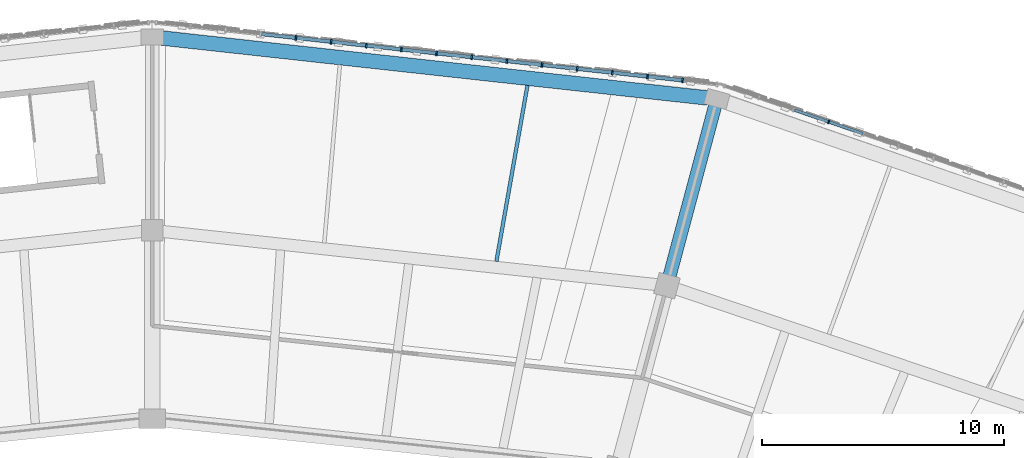
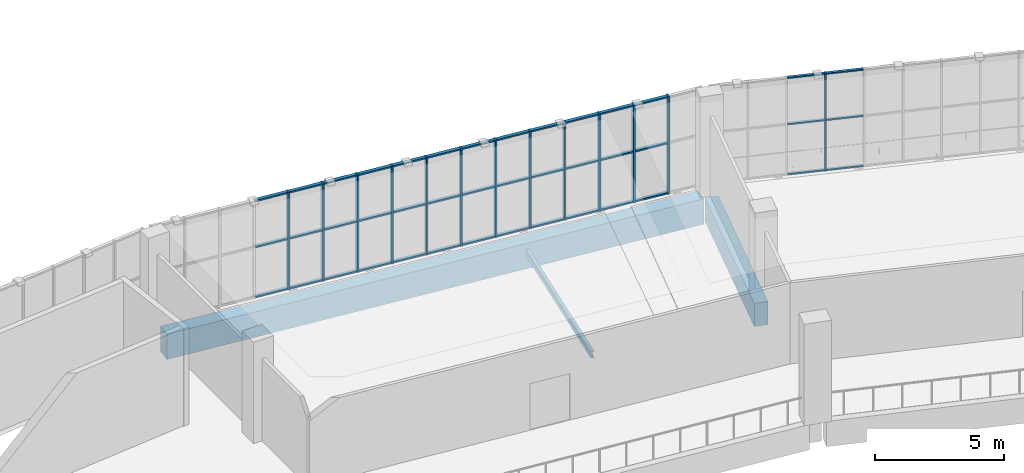
# One storey, part 30 of 64: 55 members, 3 beams, 2 elements without a shape of their own.
"""IFC4 building model written with IfcOpenShell, lengths in metres."""

from ifc_helpers import new_model, si_unit, direction, frame, origin, origin_2d, place, context, subcontext, project, spatial, rectangle, i_section, extrude, material, material_profile, profile_set, type_object, element, aggregate, save


model = new_model("IFC4")

# Units and contexts
model_context = context("Model", 3, precision=1e-05, world=origin(), true_north=direction((0.0, 1.0)))
body_context = subcontext(model_context, "Body", "Model", "MODEL_VIEW")
ifc_project = project(units=[si_unit("LENGTHUNIT", "METRE"), si_unit("AREAUNIT", "SQUARE_METRE"), si_unit("VOLUMEUNIT", "CUBIC_METRE"), si_unit("PLANEANGLEUNIT", "RADIAN"), si_unit("MASSUNIT", "GRAM", prefix="KILO")], contexts=[model_context])

# Site, building, storey
site_placement = place(None, origin())
site = spatial("IfcSite", under=ifc_project, at=site_placement, CompositionType="ELEMENT")
building_placement = place(site_placement, origin())
building = spatial("IfcBuilding", under=site, at=building_placement, Name="Zevraka Park Crest Stadium", CompositionType="ELEMENT")
storey_placement = place(building_placement, frame((0.0, 0.0, 24.60009765625)))
storey = spatial("IfcBuildingStorey", under=building, at=storey_placement, Name="L05", CompositionType="ELEMENT", Elevation=24.60009765625)

# Beam
ifc_material_1 = material(Name="Concrete C40/50", Category="concrete")
ifc_material_profile_1 = material_profile(ifc_material_1, rectangle(XDim=0.550048828125, YDim=1.10009765625, at=origin_2d()), Name="RC 1100x550")
ifc_profile_set_1 = profile_set([ifc_material_profile_1], Name="Concrete C40/50")
beam_type_1 = type_object("IfcBeamType", Name="BG02", PredefinedType="BEAM", material=ifc_profile_set_1)
beam_1_placement = place(storey_placement, frame((133.37890625, 157.297119140625, -0.56005859375), z_axis=(0.258697599806, 0.965958359276, 0.0), x_axis=(-0.965958359276, 0.258697599806, 0.0)))
element("IfcBeam", 1, at=beam_1_placement, inside=storey, type_object=beam_type_1, Name="Radial Girder BG02 L05-CD-05", PredefinedType="BEAM", context=body_context, shape_type="SweptSolid", body=[
    extrude(rectangle(XDim=0.550048828125, YDim=1.10009765625, at=origin_2d()), origin(), (0.0, 0.0, 1.0), 7.39892578125),
])

# Curtain wall, member
ifc_material_2 = material(Name="Anodised architectural aluminium and laminated safety glass", Category="aluminium")
curtain_wall_type_1 = type_object("IfcCurtainWallType", Name="CW22", PredefinedType="NOTDEFINED", material=ifc_material_2)
curtain_wall_1_placement = place(storey_placement, origin())
curtain_wall_1 = element("IfcCurtainWall", 2, at=curtain_wall_1_placement, inside=storey, type_object=curtain_wall_type_1, Name="Unitised Ring Curtain Wall CW22 L05-04", PredefinedType="NOTDEFINED")
ifc_material_3 = material(Name="Anodised architectural aluminium", Category="aluminium")
ifc_material_profile_2 = material_profile(ifc_material_3, rectangle(XDim=0.159912109375, YDim=0.06005859375, at=origin_2d()), Name="ALU MULLION 160x60")
ifc_profile_set_2 = profile_set([ifc_material_profile_2], Name="Anodised architectural aluminium")
member_type_1 = type_object("IfcMemberType", Name="CM01", PredefinedType="MULLION", material=ifc_profile_set_2)
member_1_placement = place(storey_placement, frame((139.99560546875, 163.788818359375, 0.0), z_axis=(0.0, 0.0, 1.0), x_axis=(-0.326929424834, -0.945048755979, 0.0)))
member_1 = element("IfcMember", 3, at=member_1_placement, type_object=member_type_1, Name="CW22 mullion 13", PredefinedType="MULLION", context=body_context, shape_type="SweptSolid", body=[
    extrude(rectangle(XDim=0.159912109375, YDim=0.06005859375, at=origin_2d()), origin(), (0.0, 0.0, 1.0), 4.619873046875),
])

# Curtain wall, members
ifc_material_4 = material(Name="Anodised architectural aluminium and laminated safety glass", Category="aluminium")
curtain_wall_type_2 = type_object("IfcCurtainWallType", Name="CW21", PredefinedType="NOTDEFINED", material=ifc_material_4)
curtain_wall_2_placement = place(storey_placement, origin())
curtain_wall_2 = element("IfcCurtainWall", 4, at=curtain_wall_2_placement, inside=storey, type_object=curtain_wall_type_2, Name="Unitised Ring Curtain Wall CW21 L05-05", PredefinedType="NOTDEFINED")
ifc_material_5 = material(Name="Anodised architectural aluminium", Category="aluminium")
ifc_material_profile_3 = material_profile(ifc_material_5, rectangle(XDim=0.199951171875, YDim=0.070068359375, at=origin_2d()), Name="ALU MULLION 200x70")
ifc_profile_set_3 = profile_set([ifc_material_profile_3], Name="Anodised architectural aluminium")
member_type_2 = type_object("IfcMemberType", Name="CM03", PredefinedType="MULLION", material=ifc_profile_set_3)
member_2_placement = place(storey_placement, frame((133.9501953125, 165.505859375, 0.0), z_axis=(0.0, 0.0, 1.0), x_axis=(-0.109287733215, -0.994010156572, 0.0)))
member_2 = element("IfcMember", 5, at=member_2_placement, type_object=member_type_2, Name="CW21 mullion 2", PredefinedType="MULLION", context=body_context, shape_type="SweptSolid", body=[
    extrude(rectangle(XDim=0.199951171875, YDim=0.070068359375, at=origin_2d()), origin(), (0.0, 0.0, 1.0), 4.619873046875),
])
member_3_placement = place(storey_placement, frame((132.49560546875, 165.665771484375, 0.0), z_axis=(0.0, 0.0, 1.0), x_axis=(-0.109287733215, -0.994010156572, 0.0)))
member_3 = element("IfcMember", 6, at=member_3_placement, type_object=member_type_2, Name="CW21 mullion 3", PredefinedType="MULLION", context=body_context, shape_type="SweptSolid", body=[
    extrude(rectangle(XDim=0.199951171875, YDim=0.070068359375, at=origin_2d()), origin(), (0.0, 0.0, 1.0), 4.619873046875),
])
member_4_placement = place(storey_placement, frame((131.041015625, 165.825927734375, 0.0), z_axis=(0.0, 0.0, 1.0), x_axis=(-0.109287733215, -0.994010156572, 0.0)))
member_4 = element("IfcMember", 7, at=member_4_placement, type_object=member_type_2, Name="CW21 mullion 4", PredefinedType="MULLION", context=body_context, shape_type="SweptSolid", body=[
    extrude(rectangle(XDim=0.199951171875, YDim=0.070068359375, at=origin_2d()), origin(), (0.0, 0.0, 1.0), 4.619873046875),
])
member_5_placement = place(storey_placement, frame((129.586181640625, 165.98583984375, 0.0), z_axis=(0.0, 0.0, 1.0), x_axis=(-0.109287733215, -0.994010156572, 0.0)))
member_5 = element("IfcMember", 8, at=member_5_placement, type_object=member_type_2, Name="CW21 mullion 5", PredefinedType="MULLION", context=body_context, shape_type="SweptSolid", body=[
    extrude(rectangle(XDim=0.199951171875, YDim=0.070068359375, at=origin_2d()), origin(), (0.0, 0.0, 1.0), 4.619873046875),
])
member_6_placement = place(storey_placement, frame((128.131591796875, 166.145751953125, 0.0), z_axis=(0.0, 0.0, 1.0), x_axis=(-0.109287733215, -0.994010156572, 0.0)))
member_6 = element("IfcMember", 9, at=member_6_placement, type_object=member_type_2, Name="CW21 mullion 6", PredefinedType="MULLION", context=body_context, shape_type="SweptSolid", body=[
    extrude(rectangle(XDim=0.199951171875, YDim=0.070068359375, at=origin_2d()), origin(), (0.0, 0.0, 1.0), 4.619873046875),
])
member_7_placement = place(storey_placement, frame((126.6767578125, 166.3056640625, 0.0), z_axis=(0.0, 0.0, 1.0), x_axis=(-0.109287733215, -0.994010156572, 0.0)))
member_7 = element("IfcMember", 10, at=member_7_placement, type_object=member_type_2, Name="CW21 mullion 7", PredefinedType="MULLION", context=body_context, shape_type="SweptSolid", body=[
    extrude(rectangle(XDim=0.199951171875, YDim=0.070068359375, at=origin_2d()), origin(), (0.0, 0.0, 1.0), 4.619873046875),
])
member_8_placement = place(storey_placement, frame((125.22216796875, 166.465576171875, 0.0), z_axis=(0.0, 0.0, 1.0), x_axis=(-0.109287733215, -0.994010156572, 0.0)))
member_8 = element("IfcMember", 11, at=member_8_placement, type_object=member_type_2, Name="CW21 mullion 8", PredefinedType="MULLION", context=body_context, shape_type="SweptSolid", body=[
    extrude(rectangle(XDim=0.199951171875, YDim=0.070068359375, at=origin_2d()), origin(), (0.0, 0.0, 1.0), 4.619873046875),
])
member_9_placement = place(storey_placement, frame((123.767578125, 166.62548828125, 0.0), z_axis=(0.0, 0.0, 1.0), x_axis=(-0.109287733215, -0.994010156572, 0.0)))
member_9 = element("IfcMember", 12, at=member_9_placement, type_object=member_type_2, Name="CW21 mullion 9", PredefinedType="MULLION", context=body_context, shape_type="SweptSolid", body=[
    extrude(rectangle(XDim=0.199951171875, YDim=0.070068359375, at=origin_2d()), origin(), (0.0, 0.0, 1.0), 4.619873046875),
])
member_10_placement = place(storey_placement, frame((122.312744140625, 166.785400390625, 0.0), z_axis=(0.0, 0.0, 1.0), x_axis=(-0.109287733215, -0.994010156572, 0.0)))
member_10 = element("IfcMember", 13, at=member_10_placement, type_object=member_type_2, Name="CW21 mullion 10", PredefinedType="MULLION", context=body_context, shape_type="SweptSolid", body=[
    extrude(rectangle(XDim=0.199951171875, YDim=0.070068359375, at=origin_2d()), origin(), (0.0, 0.0, 1.0), 4.619873046875),
])
member_11_placement = place(storey_placement, frame((120.858154296875, 166.9453125, 0.0), z_axis=(0.0, 0.0, 1.0), x_axis=(-0.109287733215, -0.994010156572, 0.0)))
member_11 = element("IfcMember", 14, at=member_11_placement, type_object=member_type_2, Name="CW21 mullion 11", PredefinedType="MULLION", context=body_context, shape_type="SweptSolid", body=[
    extrude(rectangle(XDim=0.199951171875, YDim=0.070068359375, at=origin_2d()), origin(), (0.0, 0.0, 1.0), 4.619873046875),
])
member_12_placement = place(storey_placement, frame((119.4033203125, 167.105224609375, 0.0), z_axis=(0.0, 0.0, 1.0), x_axis=(-0.109287733215, -0.994010156572, 0.0)))
member_12 = element("IfcMember", 15, at=member_12_placement, type_object=member_type_2, Name="CW21 mullion 12", PredefinedType="MULLION", context=body_context, shape_type="SweptSolid", body=[
    extrude(rectangle(XDim=0.199951171875, YDim=0.070068359375, at=origin_2d()), origin(), (0.0, 0.0, 1.0), 4.619873046875),
])
member_13_placement = place(storey_placement, frame((117.94873046875, 167.26513671875, 0.0), z_axis=(0.0, 0.0, 1.0), x_axis=(-0.109287733215, -0.994010156572, 0.0)))
member_13 = element("IfcMember", 16, at=member_13_placement, type_object=member_type_2, Name="CW21 mullion 13", PredefinedType="MULLION", context=body_context, shape_type="SweptSolid", body=[
    extrude(rectangle(XDim=0.199951171875, YDim=0.070068359375, at=origin_2d()), origin(), (0.0, 0.0, 1.0), 4.619873046875),
])

# Member
ifc_material_6 = material(Name="Anodised architectural aluminium", Category="aluminium")
ifc_material_profile_4 = material_profile(ifc_material_6, rectangle(XDim=0.1201171875, YDim=0.06005859375, at=origin_2d()), Name="ALU TRANSOM 120x60")
ifc_profile_set_4 = profile_set([ifc_material_profile_4], Name="Anodised architectural aluminium")
member_type_3 = type_object("IfcMemberType", Name="CT01", PredefinedType="USERDEFINED", material=ifc_profile_set_4)
member_14_placement = place(storey_placement, frame((141.412841796875, 163.298583984375, 0.02978515625), z_axis=(-0.945051229525, 0.326922274513, 0.0), x_axis=(-0.326922274513, -0.945051229525, 0.0)))
member_14 = element("IfcMember", 17, at=member_14_placement, type_object=member_type_3, Name="CW22 transom 12.1", ObjectType="TRANSOM", PredefinedType="USERDEFINED", context=body_context, shape_type="SweptSolid", body=[
    extrude(rectangle(XDim=0.1201171875, YDim=0.06005859375, at=origin_2d()), origin(), (0.0, 0.0, 1.0), 1.4697265625),
])

member_15_placement = place(storey_placement, frame((141.412841796875, 163.298583984375, 2.39990234375), z_axis=(-0.945051229525, 0.326922274513, 0.0), x_axis=(-0.326922274513, -0.945051229525, 0.0)))
member_15 = element("IfcMember", 18, at=member_15_placement, type_object=member_type_3, Name="CW22 transom 12.2", ObjectType="TRANSOM", PredefinedType="USERDEFINED", context=body_context, shape_type="SweptSolid", body=[
    extrude(rectangle(XDim=0.1201171875, YDim=0.06005859375, at=origin_2d()), origin(), (0.0, 0.0, 1.0), 1.4697265625),
])

member_16_placement = place(storey_placement, frame((141.412841796875, 163.298583984375, 4.58984375), z_axis=(-0.945051229525, 0.326922274513, 0.0), x_axis=(-0.326922274513, -0.945051229525, 0.0)))
member_16 = element("IfcMember", 19, at=member_16_placement, type_object=member_type_3, Name="CW22 transom 12.3", ObjectType="TRANSOM", PredefinedType="USERDEFINED", context=body_context, shape_type="SweptSolid", body=[
    extrude(rectangle(XDim=0.1201171875, YDim=0.06005859375, at=origin_2d()), origin(), (0.0, 0.0, 1.0), 1.4697265625),
])

member_17_placement = place(storey_placement, frame((139.96728515625, 163.798583984375, 0.02978515625), z_axis=(-0.945051229525, 0.326922274513, 0.0), x_axis=(-0.326922274513, -0.945051229525, 0.0)))
member_17 = element("IfcMember", 20, at=member_17_placement, type_object=member_type_3, Name="CW22 transom 13.1", ObjectType="TRANSOM", PredefinedType="USERDEFINED", context=body_context, shape_type="SweptSolid", body=[
    extrude(rectangle(XDim=0.1201171875, YDim=0.06005859375, at=origin_2d()), origin(), (0.0, 0.0, 1.0), 1.4697265625),
])

member_18_placement = place(storey_placement, frame((139.96728515625, 163.798583984375, 2.39990234375), z_axis=(-0.945051229525, 0.326922274513, 0.0), x_axis=(-0.326922274513, -0.945051229525, 0.0)))
member_18 = element("IfcMember", 21, at=member_18_placement, type_object=member_type_3, Name="CW22 transom 13.2", ObjectType="TRANSOM", PredefinedType="USERDEFINED", context=body_context, shape_type="SweptSolid", body=[
    extrude(rectangle(XDim=0.1201171875, YDim=0.06005859375, at=origin_2d()), origin(), (0.0, 0.0, 1.0), 1.4697265625),
])

member_19_placement = place(storey_placement, frame((139.96728515625, 163.798583984375, 4.58984375), z_axis=(-0.945051229525, 0.326922274513, 0.0), x_axis=(-0.326922274513, -0.945051229525, 0.0)))
member_19 = element("IfcMember", 22, at=member_19_placement, type_object=member_type_3, Name="CW22 transom 13.3", ObjectType="TRANSOM", PredefinedType="USERDEFINED", context=body_context, shape_type="SweptSolid", body=[
    extrude(rectangle(XDim=0.1201171875, YDim=0.06005859375, at=origin_2d()), origin(), (0.0, 0.0, 1.0), 1.4697265625),
])

aggregate(curtain_wall_1, [member_1, member_14, member_15, member_16, member_17, member_18, member_19])

ifc_material_7 = material(Name="Anodised architectural aluminium", Category="aluminium")
ifc_material_profile_5 = material_profile(ifc_material_7, rectangle(XDim=0.14990234375, YDim=0.070068359375, at=origin_2d()), Name="ALU TRANSOM 150x70")
ifc_profile_set_5 = profile_set([ifc_material_profile_5], Name="Anodised architectural aluminium")
member_type_4 = type_object("IfcMemberType", Name="CT03", PredefinedType="USERDEFINED", material=ifc_profile_set_5)
member_20_placement = place(storey_placement, frame((133.91552734375, 165.509765625, 0.034912109375), z_axis=(-0.994004927225, 0.109335285491, 0.0), x_axis=(-0.109335285491, -0.994004927225, 0.0)))
member_20 = element("IfcMember", 23, at=member_20_placement, type_object=member_type_4, Name="CW21 transom 2.1", ObjectType="TRANSOM", PredefinedType="USERDEFINED", context=body_context, shape_type="SweptSolid", body=[
    extrude(rectangle(XDim=0.14990234375, YDim=0.070068359375, at=origin_2d()), origin(), (0.0, 0.0, 1.0), 1.393310546875),
])

member_21_placement = place(storey_placement, frame((133.91552734375, 165.509765625, 2.39990234375), z_axis=(-0.994004927225, 0.109335285491, 0.0), x_axis=(-0.109335285491, -0.994004927225, 0.0)))
member_21 = element("IfcMember", 24, at=member_21_placement, type_object=member_type_4, Name="CW21 transom 2.2", ObjectType="TRANSOM", PredefinedType="USERDEFINED", context=body_context, shape_type="SweptSolid", body=[
    extrude(rectangle(XDim=0.14990234375, YDim=0.070068359375, at=origin_2d()), origin(), (0.0, 0.0, 1.0), 1.393310546875),
])

member_22_placement = place(storey_placement, frame((133.91552734375, 165.509765625, 4.5849609375), z_axis=(-0.994004927225, 0.109335285491, 0.0), x_axis=(-0.109335285491, -0.994004927225, 0.0)))
member_22 = element("IfcMember", 25, at=member_22_placement, type_object=member_type_4, Name="CW21 transom 2.3", ObjectType="TRANSOM", PredefinedType="USERDEFINED", context=body_context, shape_type="SweptSolid", body=[
    extrude(rectangle(XDim=0.14990234375, YDim=0.070068359375, at=origin_2d()), origin(), (0.0, 0.0, 1.0), 1.393310546875),
])

member_23_placement = place(storey_placement, frame((132.4609375, 165.669677734375, 0.034912109375), z_axis=(-0.994007021255, 0.109316246257, 0.0), x_axis=(-0.109316246257, -0.994007021255, 0.0)))
member_23 = element("IfcMember", 26, at=member_23_placement, type_object=member_type_4, Name="CW21 transom 3.1", ObjectType="TRANSOM", PredefinedType="USERDEFINED", context=body_context, shape_type="SweptSolid", body=[
    extrude(rectangle(XDim=0.14990234375, YDim=0.070068359375, at=origin_2d()), origin(), (0.0, 0.0, 1.0), 1.3935546875),
])

member_24_placement = place(storey_placement, frame((132.4609375, 165.669677734375, 2.39990234375), z_axis=(-0.994007021255, 0.109316246257, 0.0), x_axis=(-0.109316246257, -0.994007021255, 0.0)))
member_24 = element("IfcMember", 27, at=member_24_placement, type_object=member_type_4, Name="CW21 transom 3.2", ObjectType="TRANSOM", PredefinedType="USERDEFINED", context=body_context, shape_type="SweptSolid", body=[
    extrude(rectangle(XDim=0.14990234375, YDim=0.070068359375, at=origin_2d()), origin(), (0.0, 0.0, 1.0), 1.3935546875),
])

member_25_placement = place(storey_placement, frame((132.4609375, 165.669677734375, 4.5849609375), z_axis=(-0.994007021255, 0.109316246257, 0.0), x_axis=(-0.109316246257, -0.994007021255, 0.0)))
member_25 = element("IfcMember", 28, at=member_25_placement, type_object=member_type_4, Name="CW21 transom 3.3", ObjectType="TRANSOM", PredefinedType="USERDEFINED", context=body_context, shape_type="SweptSolid", body=[
    extrude(rectangle(XDim=0.14990234375, YDim=0.070068359375, at=origin_2d()), origin(), (0.0, 0.0, 1.0), 1.3935546875),
])

member_26_placement = place(storey_placement, frame((131.006103515625, 165.82958984375, 0.034912109375), z_axis=(-0.994004927225, 0.109335285491, 0.0), x_axis=(-0.109335285491, -0.994004927225, 0.0)))
member_26 = element("IfcMember", 29, at=member_26_placement, type_object=member_type_4, Name="CW21 transom 4.1", ObjectType="TRANSOM", PredefinedType="USERDEFINED", context=body_context, shape_type="SweptSolid", body=[
    extrude(rectangle(XDim=0.14990234375, YDim=0.070068359375, at=origin_2d()), origin(), (0.0, 0.0, 1.0), 1.393310546875),
])

member_27_placement = place(storey_placement, frame((131.006103515625, 165.82958984375, 2.39990234375), z_axis=(-0.994004927225, 0.109335285491, 0.0), x_axis=(-0.109335285491, -0.994004927225, 0.0)))
member_27 = element("IfcMember", 30, at=member_27_placement, type_object=member_type_4, Name="CW21 transom 4.2", ObjectType="TRANSOM", PredefinedType="USERDEFINED", context=body_context, shape_type="SweptSolid", body=[
    extrude(rectangle(XDim=0.14990234375, YDim=0.070068359375, at=origin_2d()), origin(), (0.0, 0.0, 1.0), 1.393310546875),
])

member_28_placement = place(storey_placement, frame((131.006103515625, 165.82958984375, 4.5849609375), z_axis=(-0.994004927225, 0.109335285491, 0.0), x_axis=(-0.109335285491, -0.994004927225, 0.0)))
member_28 = element("IfcMember", 31, at=member_28_placement, type_object=member_type_4, Name="CW21 transom 4.3", ObjectType="TRANSOM", PredefinedType="USERDEFINED", context=body_context, shape_type="SweptSolid", body=[
    extrude(rectangle(XDim=0.14990234375, YDim=0.070068359375, at=origin_2d()), origin(), (0.0, 0.0, 1.0), 1.393310546875),
])

member_29_placement = place(storey_placement, frame((129.551513671875, 165.989501953125, 0.034912109375), z_axis=(-0.994007021255, 0.109316246257, 0.0), x_axis=(-0.109316246257, -0.994007021255, 0.0)))
member_29 = element("IfcMember", 32, at=member_29_placement, type_object=member_type_4, Name="CW21 transom 5.1", ObjectType="TRANSOM", PredefinedType="USERDEFINED", context=body_context, shape_type="SweptSolid", body=[
    extrude(rectangle(XDim=0.14990234375, YDim=0.070068359375, at=origin_2d()), origin(), (0.0, 0.0, 1.0), 1.3935546875),
])

member_30_placement = place(storey_placement, frame((129.551513671875, 165.989501953125, 2.39990234375), z_axis=(-0.994007021255, 0.109316246257, 0.0), x_axis=(-0.109316246257, -0.994007021255, 0.0)))
member_30 = element("IfcMember", 33, at=member_30_placement, type_object=member_type_4, Name="CW21 transom 5.2", ObjectType="TRANSOM", PredefinedType="USERDEFINED", context=body_context, shape_type="SweptSolid", body=[
    extrude(rectangle(XDim=0.14990234375, YDim=0.070068359375, at=origin_2d()), origin(), (0.0, 0.0, 1.0), 1.3935546875),
])

member_31_placement = place(storey_placement, frame((129.551513671875, 165.989501953125, 4.5849609375), z_axis=(-0.994007021255, 0.109316246257, 0.0), x_axis=(-0.109316246257, -0.994007021255, 0.0)))
member_31 = element("IfcMember", 34, at=member_31_placement, type_object=member_type_4, Name="CW21 transom 5.3", ObjectType="TRANSOM", PredefinedType="USERDEFINED", context=body_context, shape_type="SweptSolid", body=[
    extrude(rectangle(XDim=0.14990234375, YDim=0.070068359375, at=origin_2d()), origin(), (0.0, 0.0, 1.0), 1.3935546875),
])

member_32_placement = place(storey_placement, frame((128.0966796875, 166.1494140625, 0.034912109375), z_axis=(-0.994004927225, 0.109335285491, 0.0), x_axis=(-0.109335285491, -0.994004927225, 0.0)))
member_32 = element("IfcMember", 35, at=member_32_placement, type_object=member_type_4, Name="CW21 transom 6.1", ObjectType="TRANSOM", PredefinedType="USERDEFINED", context=body_context, shape_type="SweptSolid", body=[
    extrude(rectangle(XDim=0.14990234375, YDim=0.070068359375, at=origin_2d()), origin(), (0.0, 0.0, 1.0), 1.393310546875),
])

member_33_placement = place(storey_placement, frame((128.0966796875, 166.1494140625, 2.39990234375), z_axis=(-0.994004927225, 0.109335285491, 0.0), x_axis=(-0.109335285491, -0.994004927225, 0.0)))
member_33 = element("IfcMember", 36, at=member_33_placement, type_object=member_type_4, Name="CW21 transom 6.2", ObjectType="TRANSOM", PredefinedType="USERDEFINED", context=body_context, shape_type="SweptSolid", body=[
    extrude(rectangle(XDim=0.14990234375, YDim=0.070068359375, at=origin_2d()), origin(), (0.0, 0.0, 1.0), 1.393310546875),
])

member_34_placement = place(storey_placement, frame((128.0966796875, 166.1494140625, 4.5849609375), z_axis=(-0.994004927225, 0.109335285491, 0.0), x_axis=(-0.109335285491, -0.994004927225, 0.0)))
member_34 = element("IfcMember", 37, at=member_34_placement, type_object=member_type_4, Name="CW21 transom 6.3", ObjectType="TRANSOM", PredefinedType="USERDEFINED", context=body_context, shape_type="SweptSolid", body=[
    extrude(rectangle(XDim=0.14990234375, YDim=0.070068359375, at=origin_2d()), origin(), (0.0, 0.0, 1.0), 1.393310546875),
])

member_35_placement = place(storey_placement, frame((126.64208984375, 166.3095703125, 0.034912109375), z_axis=(-0.994023955042, 0.109162158292, 0.0), x_axis=(-0.109162158292, -0.994023955042, 0.0)))
member_35 = element("IfcMember", 38, at=member_35_placement, type_object=member_type_4, Name="CW21 transom 7.1", ObjectType="TRANSOM", PredefinedType="USERDEFINED", context=body_context, shape_type="SweptSolid", body=[
    extrude(rectangle(XDim=0.14990234375, YDim=0.070068359375, at=origin_2d()), origin(), (0.0, 0.0, 1.0), 1.393310546875),
])

member_36_placement = place(storey_placement, frame((126.64208984375, 166.3095703125, 2.39990234375), z_axis=(-0.994023955042, 0.109162158292, 0.0), x_axis=(-0.109162158292, -0.994023955042, 0.0)))
member_36 = element("IfcMember", 39, at=member_36_placement, type_object=member_type_4, Name="CW21 transom 7.2", ObjectType="TRANSOM", PredefinedType="USERDEFINED", context=body_context, shape_type="SweptSolid", body=[
    extrude(rectangle(XDim=0.14990234375, YDim=0.070068359375, at=origin_2d()), origin(), (0.0, 0.0, 1.0), 1.393310546875),
])

member_37_placement = place(storey_placement, frame((126.64208984375, 166.3095703125, 4.5849609375), z_axis=(-0.994023955042, 0.109162158292, 0.0), x_axis=(-0.109162158292, -0.994023955042, 0.0)))
member_37 = element("IfcMember", 40, at=member_37_placement, type_object=member_type_4, Name="CW21 transom 7.3", ObjectType="TRANSOM", PredefinedType="USERDEFINED", context=body_context, shape_type="SweptSolid", body=[
    extrude(rectangle(XDim=0.14990234375, YDim=0.070068359375, at=origin_2d()), origin(), (0.0, 0.0, 1.0), 1.393310546875),
])

member_38_placement = place(storey_placement, frame((125.1875, 166.469482421875, 0.034912109375), z_axis=(-0.994026042486, 0.109143148479, 0.0), x_axis=(-0.109143148479, -0.994026042486, 0.0)))
member_38 = element("IfcMember", 41, at=member_38_placement, type_object=member_type_4, Name="CW21 transom 8.1", ObjectType="TRANSOM", PredefinedType="USERDEFINED", context=body_context, shape_type="SweptSolid", body=[
    extrude(rectangle(XDim=0.14990234375, YDim=0.070068359375, at=origin_2d()), origin(), (0.0, 0.0, 1.0), 1.3935546875),
])

member_39_placement = place(storey_placement, frame((125.1875, 166.469482421875, 2.39990234375), z_axis=(-0.994026042486, 0.109143148479, 0.0), x_axis=(-0.109143148479, -0.994026042486, 0.0)))
member_39 = element("IfcMember", 42, at=member_39_placement, type_object=member_type_4, Name="CW21 transom 8.2", ObjectType="TRANSOM", PredefinedType="USERDEFINED", context=body_context, shape_type="SweptSolid", body=[
    extrude(rectangle(XDim=0.14990234375, YDim=0.070068359375, at=origin_2d()), origin(), (0.0, 0.0, 1.0), 1.3935546875),
])

member_40_placement = place(storey_placement, frame((125.1875, 166.469482421875, 4.5849609375), z_axis=(-0.994026042486, 0.109143148479, 0.0), x_axis=(-0.109143148479, -0.994026042486, 0.0)))
member_40 = element("IfcMember", 43, at=member_40_placement, type_object=member_type_4, Name="CW21 transom 8.3", ObjectType="TRANSOM", PredefinedType="USERDEFINED", context=body_context, shape_type="SweptSolid", body=[
    extrude(rectangle(XDim=0.14990234375, YDim=0.070068359375, at=origin_2d()), origin(), (0.0, 0.0, 1.0), 1.3935546875),
])

member_41_placement = place(storey_placement, frame((123.732666015625, 166.62939453125, 0.034912109375), z_axis=(-0.994023955042, 0.109162158292, 0.0), x_axis=(-0.109162158292, -0.994023955042, 0.0)))
member_41 = element("IfcMember", 44, at=member_41_placement, type_object=member_type_4, Name="CW21 transom 9.1", ObjectType="TRANSOM", PredefinedType="USERDEFINED", context=body_context, shape_type="SweptSolid", body=[
    extrude(rectangle(XDim=0.14990234375, YDim=0.070068359375, at=origin_2d()), origin(), (0.0, 0.0, 1.0), 1.393310546875),
])

member_42_placement = place(storey_placement, frame((123.732666015625, 166.62939453125, 2.39990234375), z_axis=(-0.994023955042, 0.109162158292, 0.0), x_axis=(-0.109162158292, -0.994023955042, 0.0)))
member_42 = element("IfcMember", 45, at=member_42_placement, type_object=member_type_4, Name="CW21 transom 9.2", ObjectType="TRANSOM", PredefinedType="USERDEFINED", context=body_context, shape_type="SweptSolid", body=[
    extrude(rectangle(XDim=0.14990234375, YDim=0.070068359375, at=origin_2d()), origin(), (0.0, 0.0, 1.0), 1.393310546875),
])

member_43_placement = place(storey_placement, frame((123.732666015625, 166.62939453125, 4.5849609375), z_axis=(-0.994023955042, 0.109162158292, 0.0), x_axis=(-0.109162158292, -0.994023955042, 0.0)))
member_43 = element("IfcMember", 46, at=member_43_placement, type_object=member_type_4, Name="CW21 transom 9.3", ObjectType="TRANSOM", PredefinedType="USERDEFINED", context=body_context, shape_type="SweptSolid", body=[
    extrude(rectangle(XDim=0.14990234375, YDim=0.070068359375, at=origin_2d()), origin(), (0.0, 0.0, 1.0), 1.393310546875),
])

member_44_placement = place(storey_placement, frame((122.278076171875, 166.789306640625, 0.034912109375), z_axis=(-0.994007021255, 0.109316246257, 0.0), x_axis=(-0.109316246257, -0.994007021255, 0.0)))
member_44 = element("IfcMember", 47, at=member_44_placement, type_object=member_type_4, Name="CW21 transom 10.1", ObjectType="TRANSOM", PredefinedType="USERDEFINED", context=body_context, shape_type="SweptSolid", body=[
    extrude(rectangle(XDim=0.14990234375, YDim=0.070068359375, at=origin_2d()), origin(), (0.0, 0.0, 1.0), 1.3935546875),
])

member_45_placement = place(storey_placement, frame((122.278076171875, 166.789306640625, 2.39990234375), z_axis=(-0.994007021255, 0.109316246257, 0.0), x_axis=(-0.109316246257, -0.994007021255, 0.0)))
member_45 = element("IfcMember", 48, at=member_45_placement, type_object=member_type_4, Name="CW21 transom 10.2", ObjectType="TRANSOM", PredefinedType="USERDEFINED", context=body_context, shape_type="SweptSolid", body=[
    extrude(rectangle(XDim=0.14990234375, YDim=0.070068359375, at=origin_2d()), origin(), (0.0, 0.0, 1.0), 1.3935546875),
])

member_46_placement = place(storey_placement, frame((122.278076171875, 166.789306640625, 4.5849609375), z_axis=(-0.994007021255, 0.109316246257, 0.0), x_axis=(-0.109316246257, -0.994007021255, 0.0)))
member_46 = element("IfcMember", 49, at=member_46_placement, type_object=member_type_4, Name="CW21 transom 10.3", ObjectType="TRANSOM", PredefinedType="USERDEFINED", context=body_context, shape_type="SweptSolid", body=[
    extrude(rectangle(XDim=0.14990234375, YDim=0.070068359375, at=origin_2d()), origin(), (0.0, 0.0, 1.0), 1.3935546875),
])

member_47_placement = place(storey_placement, frame((120.8232421875, 166.94921875, 0.034912109375), z_axis=(-0.994004927225, 0.109335285491, 0.0), x_axis=(-0.109335285491, -0.994004927225, 0.0)))
member_47 = element("IfcMember", 50, at=member_47_placement, type_object=member_type_4, Name="CW21 transom 11.1", ObjectType="TRANSOM", PredefinedType="USERDEFINED", context=body_context, shape_type="SweptSolid", body=[
    extrude(rectangle(XDim=0.14990234375, YDim=0.070068359375, at=origin_2d()), origin(), (0.0, 0.0, 1.0), 1.393310546875),
])

member_48_placement = place(storey_placement, frame((120.8232421875, 166.94921875, 2.39990234375), z_axis=(-0.994004927225, 0.109335285491, 0.0), x_axis=(-0.109335285491, -0.994004927225, 0.0)))
member_48 = element("IfcMember", 51, at=member_48_placement, type_object=member_type_4, Name="CW21 transom 11.2", ObjectType="TRANSOM", PredefinedType="USERDEFINED", context=body_context, shape_type="SweptSolid", body=[
    extrude(rectangle(XDim=0.14990234375, YDim=0.070068359375, at=origin_2d()), origin(), (0.0, 0.0, 1.0), 1.393310546875),
])

member_49_placement = place(storey_placement, frame((120.8232421875, 166.94921875, 4.5849609375), z_axis=(-0.994004927225, 0.109335285491, 0.0), x_axis=(-0.109335285491, -0.994004927225, 0.0)))
member_49 = element("IfcMember", 52, at=member_49_placement, type_object=member_type_4, Name="CW21 transom 11.3", ObjectType="TRANSOM", PredefinedType="USERDEFINED", context=body_context, shape_type="SweptSolid", body=[
    extrude(rectangle(XDim=0.14990234375, YDim=0.070068359375, at=origin_2d()), origin(), (0.0, 0.0, 1.0), 1.393310546875),
])

member_50_placement = place(storey_placement, frame((119.36865234375, 167.109130859375, 0.034912109375), z_axis=(-0.994004927225, 0.109335285491, 0.0), x_axis=(-0.109335285491, -0.994004927225, 0.0)))
member_50 = element("IfcMember", 53, at=member_50_placement, type_object=member_type_4, Name="CW21 transom 12.1", ObjectType="TRANSOM", PredefinedType="USERDEFINED", context=body_context, shape_type="SweptSolid", body=[
    extrude(rectangle(XDim=0.14990234375, YDim=0.070068359375, at=origin_2d()), origin(), (0.0, 0.0, 1.0), 1.393310546875),
])

member_51_placement = place(storey_placement, frame((119.36865234375, 167.109130859375, 2.39990234375), z_axis=(-0.994004927225, 0.109335285491, 0.0), x_axis=(-0.109335285491, -0.994004927225, 0.0)))
member_51 = element("IfcMember", 54, at=member_51_placement, type_object=member_type_4, Name="CW21 transom 12.2", ObjectType="TRANSOM", PredefinedType="USERDEFINED", context=body_context, shape_type="SweptSolid", body=[
    extrude(rectangle(XDim=0.14990234375, YDim=0.070068359375, at=origin_2d()), origin(), (0.0, 0.0, 1.0), 1.393310546875),
])

member_52_placement = place(storey_placement, frame((119.36865234375, 167.109130859375, 4.5849609375), z_axis=(-0.994004927225, 0.109335285491, 0.0), x_axis=(-0.109335285491, -0.994004927225, 0.0)))
member_52 = element("IfcMember", 55, at=member_52_placement, type_object=member_type_4, Name="CW21 transom 12.3", ObjectType="TRANSOM", PredefinedType="USERDEFINED", context=body_context, shape_type="SweptSolid", body=[
    extrude(rectangle(XDim=0.14990234375, YDim=0.070068359375, at=origin_2d()), origin(), (0.0, 0.0, 1.0), 1.393310546875),
])

member_53_placement = place(storey_placement, frame((117.9140625, 167.26904296875, 0.034912109375), z_axis=(-0.994007021255, 0.109316246257, 0.0), x_axis=(-0.109316246257, -0.994007021255, 0.0)))
member_53 = element("IfcMember", 56, at=member_53_placement, type_object=member_type_4, Name="CW21 transom 13.1", ObjectType="TRANSOM", PredefinedType="USERDEFINED", context=body_context, shape_type="SweptSolid", body=[
    extrude(rectangle(XDim=0.14990234375, YDim=0.070068359375, at=origin_2d()), origin(), (0.0, 0.0, 1.0), 1.3935546875),
])

member_54_placement = place(storey_placement, frame((117.9140625, 167.26904296875, 2.39990234375), z_axis=(-0.994007021255, 0.109316246257, 0.0), x_axis=(-0.109316246257, -0.994007021255, 0.0)))
member_54 = element("IfcMember", 57, at=member_54_placement, type_object=member_type_4, Name="CW21 transom 13.2", ObjectType="TRANSOM", PredefinedType="USERDEFINED", context=body_context, shape_type="SweptSolid", body=[
    extrude(rectangle(XDim=0.14990234375, YDim=0.070068359375, at=origin_2d()), origin(), (0.0, 0.0, 1.0), 1.3935546875),
])

member_55_placement = place(storey_placement, frame((117.9140625, 167.26904296875, 4.5849609375), z_axis=(-0.994007021255, 0.109316246257, 0.0), x_axis=(-0.109316246257, -0.994007021255, 0.0)))
member_55 = element("IfcMember", 58, at=member_55_placement, type_object=member_type_4, Name="CW21 transom 13.3", ObjectType="TRANSOM", PredefinedType="USERDEFINED", context=body_context, shape_type="SweptSolid", body=[
    extrude(rectangle(XDim=0.14990234375, YDim=0.070068359375, at=origin_2d()), origin(), (0.0, 0.0, 1.0), 1.3935546875),
])

aggregate(curtain_wall_2, [member_2, member_3, member_4, member_5, member_6, member_7, member_8, member_9, member_10, member_11, member_12, member_13, member_20, member_21, member_22, member_23, member_24, member_25, member_26, member_27, member_28, member_29, member_30, member_31, member_32, member_33, member_34, member_35, member_36, member_37, member_38, member_39, member_40, member_41, member_42, member_43, member_44, member_45, member_46, member_47, member_48, member_49, member_50, member_51, member_52, member_53, member_54, member_55])

# Beams
ifc_material_8 = material(Name="Concrete C40/50", Category="concrete")
ifc_material_profile_6 = material_profile(ifc_material_8, rectangle(XDim=0.60009765625, YDim=1.199951171875, at=origin_2d()), Name="RC 1200x600")
ifc_profile_set_6 = profile_set([ifc_material_profile_6], Name="Concrete C40/50")
beam_type_2 = type_object("IfcBeamType", Name="RB01", PredefinedType="BEAM", material=ifc_profile_set_6)
beam_2_placement = place(storey_placement, frame((134.992919921875, 164.77490234375, -0.610107421875), z_axis=(-0.994021150509, 0.109187693174, 0.0), x_axis=(-0.109187693174, -0.994021150509, 0.0)))
element("IfcBeam", 59, at=beam_2_placement, inside=storey, type_object=beam_type_2, Name="Ring Beam RB01 L05-D-05", PredefinedType="BEAM", context=body_context, shape_type="SweptSolid", body=[
    extrude(rectangle(XDim=0.60009765625, YDim=1.199951171875, at=origin_2d()), origin(), (0.0, 0.0, 1.0), 22.7509765625),
])
ifc_material_9 = material(Name="Steel S355", Category="steel")
ifc_material_profile_7 = material_profile(ifc_material_9, i_section(OverallWidth=0.14990234375, OverallDepth=0.300048828125, WebThickness=0.007080078125, FlangeThickness=0.0107421875, at=origin_2d()), Name="IPE 300")
ifc_profile_set_7 = profile_set([ifc_material_profile_7], Name="Steel S355")
beam_type_3 = type_object("IfcBeamType", Name="SJ01", PredefinedType="JOIST", material=ifc_profile_set_7)
beam_3_placement = place(storey_placement, frame((126.242919921875, 158.012939453125, -0.418212890625), z_axis=(0.173830511429, 0.984775585246, 0.0), x_axis=(-0.984775585246, 0.173830511429, 0.0)))
element("IfcBeam", 60, at=beam_3_placement, inside=storey, type_object=beam_type_3, Name="Floor Joist SJ01 L05-CD-05-1", PredefinedType="JOIST", context=body_context, shape_type="SweptSolid", body=[
    extrude(i_section(OverallWidth=0.14990234375, OverallDepth=0.300048828125, WebThickness=0.007080078125, FlangeThickness=0.0107421875, at=origin_2d()), origin(), (0.0, 0.0, 1.0), 7.398681640625),
])

save(model, "model.ifc")
